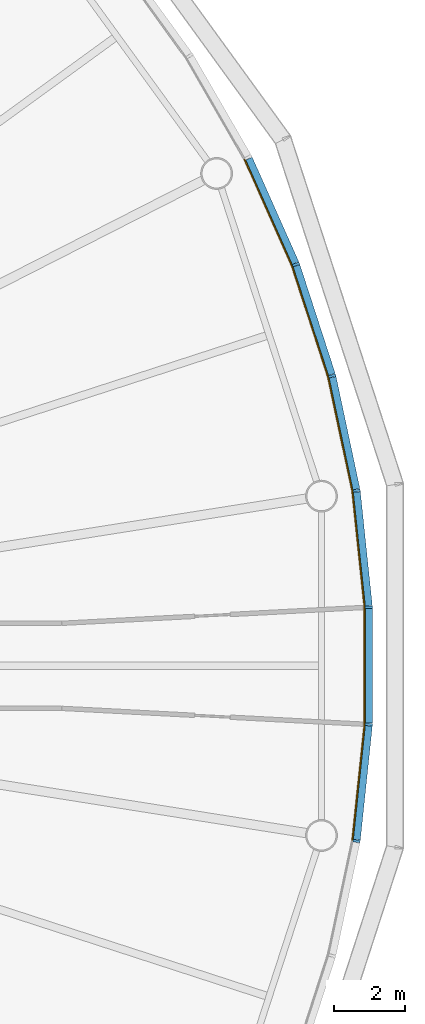
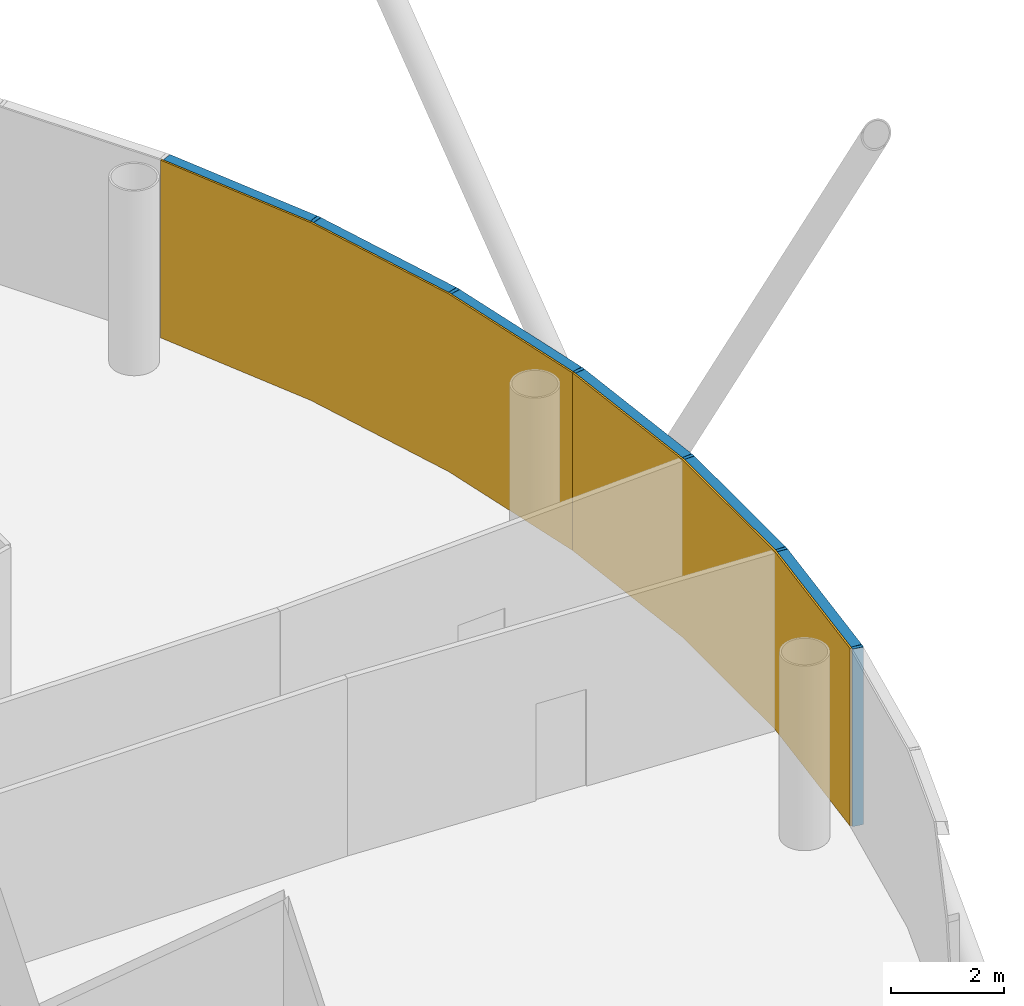
# One storey, part 11 of 13: 12 members, 2 curtain walls.
"""IFC4 building model written with IfcOpenShell, lengths in metres."""

from ifc_helpers import new_model, si_unit, direction, frame, origin, origin_2d, place, context, subcontext, project, spatial, polyline, rectangle, outline, extrude, material, layer, layer_set, material_profile, profile_set, type_object, element, aggregate, save


model = new_model("IFC4")

# Units and contexts
model_context = context("Model", 3, precision=1e-05, world=origin(), true_north=direction((0.0, 1.0)))
body_context = subcontext(model_context, "Body", "Model", "MODEL_VIEW")
ifc_project = project(units=[si_unit("LENGTHUNIT", "METRE"), si_unit("AREAUNIT", "SQUARE_METRE"), si_unit("VOLUMEUNIT", "CUBIC_METRE"), si_unit("PLANEANGLEUNIT", "RADIAN"), si_unit("MASSUNIT", "GRAM", prefix="KILO")], contexts=[model_context])

# Member
ifc_material_1 = material(Name="Anodised aluminium", Category="aluminium")
ifc_material_profile_1 = material_profile(ifc_material_1, rectangle(XDim=0.070068359375, YDim=0.205078125, at=origin_2d()), Name="Mullion 70 x 205 mm anodised aluminium")
ifc_profile_set_1 = profile_set([ifc_material_profile_1], Name="Anodised aluminium")
member_type_1 = type_object("IfcMemberType", Name="Mullion 70 x 205 mm anodised aluminium", PredefinedType="MULLION", material=ifc_profile_set_1)
site_placement = place(None, origin())
building_placement = place(site_placement, origin())
storey_placement = place(building_placement, frame((0.0, 0.0, 356.0)))
member_1_placement = place(storey_placement, frame((121.21337890625, 84.943603515625, 0.0), z_axis=(0.0, 0.0, 1.0), x_axis=(-0.15643446504, 0.987688340595, 0.0)))
member_1 = element("IfcMember", 1, at=member_1_placement, type_object=member_type_1, Name="MULLION L82-00", PredefinedType="MULLION", context=body_context, shape_type="SweptSolid", body=[
    extrude(rectangle(XDim=0.070068359375, YDim=0.205078125, at=origin_2d()), origin(), (0.0, 0.0, 1.0), 3.85009765625),
])

member_2_placement = place(storey_placement, frame((120.525634765625, 88.179443359375, 0.0), z_axis=(0.0, 0.0, 1.0), x_axis=(-0.258819045103, 0.965925826289, 0.0)))
member_2 = element("IfcMember", 2, at=member_2_placement, type_object=member_type_1, Name="MULLION L82-01", PredefinedType="MULLION", context=body_context, shape_type="SweptSolid", body=[
    extrude(rectangle(XDim=0.070068359375, YDim=0.205078125, at=origin_2d()), origin(), (0.0, 0.0, 1.0), 3.85009765625),
])

member_3_placement = place(storey_placement, frame((119.50341796875, 91.325439453125, 0.0), z_axis=(0.0, 0.0, 1.0), x_axis=(-0.358367949545, 0.933580426497, 0.0)))
member_3 = element("IfcMember", 3, at=member_3_placement, type_object=member_type_1, Name="MULLION L82-02", PredefinedType="MULLION", context=body_context, shape_type="SweptSolid", body=[
    extrude(rectangle(XDim=0.070068359375, YDim=0.205078125, at=origin_2d()), origin(), (0.0, 0.0, 1.0), 3.85009765625),
])

member_4_placement = place(storey_placement, frame((121.21337890625, 75.056396484375, 0.0), z_axis=(0.0, 0.0, 1.0), x_axis=(0.15643446504, 0.987688340595, 0.0)))
member_4 = element("IfcMember", 4, at=member_4_placement, type_object=member_type_1, Name="MULLION L82-57", PredefinedType="MULLION", context=body_context, shape_type="SweptSolid", body=[
    extrude(rectangle(XDim=0.070068359375, YDim=0.205078125, at=origin_2d()), origin(), (0.0, 0.0, 1.0), 3.85009765625),
])

member_5_placement = place(storey_placement, frame((121.55908203125, 78.345947265625, 0.0), z_axis=(0.0, 0.0, 1.0), x_axis=(0.052335956243, 0.998629534755, 0.0)))
member_5 = element("IfcMember", 5, at=member_5_placement, type_object=member_type_1, Name="MULLION L82-58", PredefinedType="MULLION", context=body_context, shape_type="SweptSolid", body=[
    extrude(rectangle(XDim=0.070068359375, YDim=0.205078125, at=origin_2d()), origin(), (0.0, 0.0, 1.0), 3.85009765625),
])

member_6_placement = place(storey_placement, frame((121.55908203125, 81.654052734375, 0.0), z_axis=(0.0, 0.0, 1.0), x_axis=(-0.052335956243, 0.998629534755, 0.0)))
member_6 = element("IfcMember", 6, at=member_6_placement, type_object=member_type_1, Name="MULLION L82-59", PredefinedType="MULLION", context=body_context, shape_type="SweptSolid", body=[
    extrude(rectangle(XDim=0.070068359375, YDim=0.205078125, at=origin_2d()), origin(), (0.0, 0.0, 1.0), 3.85009765625),
])

ifc_material_2 = material(Name="Anodised aluminium", Category="aluminium")
ifc_material_profile_2 = material_profile(ifc_material_2, rectangle(XDim=0.205078125, YDim=0.195068359375, at=origin_2d()), Name="Transom 195 x 205 mm anodised aluminium")
ifc_profile_set_2 = profile_set([ifc_material_profile_2], Name="Anodised aluminium")
member_type_2 = type_object("IfcMemberType", Name="Transom 195 x 205 mm anodised aluminium", PredefinedType="USERDEFINED", material=ifc_profile_set_2)
member_7_placement = place(storey_placement, frame((121.205078125, 84.983154296875, 3.75244140625), z_axis=(-0.207885898771, 0.978153082647, 0.0), x_axis=(-0.978153082647, -0.207885898771, 0.0)))
member_7 = element("IfcMember", 7, at=member_7_placement, type_object=member_type_2, Name="TRANSOM L82-00", ObjectType="TRANSOM", PredefinedType="USERDEFINED", context=body_context, shape_type="SweptSolid", body=[
    extrude(rectangle(XDim=0.205078125, YDim=0.195068359375, at=origin_2d()), origin(), (0.0, 0.0, 1.0), 3.227294921875),
])

member_8_placement = place(storey_placement, frame((120.513427734375, 88.2177734375, 3.75244140625), z_axis=(-0.309046726844, 0.951046855117, 0.0), x_axis=(-0.951046855117, -0.309046726844, 0.0)))
member_8 = element("IfcMember", 8, at=member_8_placement, type_object=member_type_2, Name="TRANSOM L82-01", ObjectType="TRANSOM", PredefinedType="USERDEFINED", context=body_context, shape_type="SweptSolid", body=[
    extrude(rectangle(XDim=0.205078125, YDim=0.195068359375, at=origin_2d()), origin(), (0.0, 0.0, 1.0), 3.22705078125),
])

member_9_placement = place(storey_placement, frame((119.4873046875, 91.3623046875, 3.75244140625), z_axis=(-0.406791170024, 0.913521178731, 0.0), x_axis=(-0.913521178731, -0.406791170024, 0.0)))
member_9 = element("IfcMember", 9, at=member_9_placement, type_object=member_type_2, Name="TRANSOM L82-02", ObjectType="TRANSOM", PredefinedType="USERDEFINED", context=body_context, shape_type="SweptSolid", body=[
    extrude(rectangle(XDim=0.205078125, YDim=0.195068359375, at=origin_2d()), origin(), (0.0, 0.0, 1.0), 3.22705078125),
])

member_10_placement = place(storey_placement, frame((121.2177734375, 75.096435546875, 3.75244140625), z_axis=(0.104550890115, 0.994519537956, 0.0), x_axis=(-0.994519537956, 0.104550890115, 0.0)))
member_10 = element("IfcMember", 10, at=member_10_placement, type_object=member_type_2, Name="TRANSOM L82-57", ObjectType="TRANSOM", PredefinedType="USERDEFINED", context=body_context, shape_type="SweptSolid", body=[
    extrude(rectangle(XDim=0.205078125, YDim=0.195068359375, at=origin_2d()), origin(), (0.0, 0.0, 1.0), 3.22705078125),
])

member_11_placement = place(storey_placement, frame((121.559326171875, 78.386474609375, 3.75244140625), z_axis=(0.0, 1.0, 0.0), x_axis=(-1.0, 0.0, 0.0)))
member_11 = element("IfcMember", 11, at=member_11_placement, type_object=member_type_2, Name="TRANSOM L82-58", ObjectType="TRANSOM", PredefinedType="USERDEFINED", context=body_context, shape_type="SweptSolid", body=[
    extrude(rectangle(XDim=0.205078125, YDim=0.195068359375, at=origin_2d()), origin(), (0.0, 0.0, 1.0), 3.22705078125),
])

member_12_placement = place(storey_placement, frame((121.55517578125, 81.694091796875, 3.75244140625), z_axis=(-0.104550890115, 0.994519537956, 0.0), x_axis=(-0.994519537956, -0.104550890115, 0.0)))
member_12 = element("IfcMember", 12, at=member_12_placement, type_object=member_type_2, Name="TRANSOM L82-59", ObjectType="TRANSOM", PredefinedType="USERDEFINED", context=body_context, shape_type="SweptSolid", body=[
    extrude(rectangle(XDim=0.205078125, YDim=0.195068359375, at=origin_2d()), origin(), (0.0, 0.0, 1.0), 3.22705078125),
])

# Site, building, storey
site = spatial("IfcSite", under=ifc_project, at=site_placement, CompositionType="ELEMENT")
building = spatial("IfcBuilding", under=site, at=building_placement, Name="Entoto Ring Tower", CompositionType="ELEMENT")
storey = spatial("IfcBuildingStorey", under=building, at=storey_placement, Name="L82", CompositionType="ELEMENT", Elevation=356.0)

# Curtain wall
ifc_material_3 = material(Name="Clear low-iron glass", Category="glass")
ifc_layer = layer(ifc_material_3, 0.035888671875)
ifc_layer_set = layer_set([ifc_layer], Name="Clear low-iron glass")
curtain_wall_type = type_object("IfcCurtainWallType", Name="Curtain wall system CW6 glazing 36 mm", PredefinedType="NOTDEFINED", material=ifc_layer_set)
curtain_wall_1_placement = place(storey_placement, origin())
curtain_wall_1 = element("IfcCurtainWall", 13, at=curtain_wall_1_placement, inside=storey, type_object=curtain_wall_type, Name="CW6 L82-01", PredefinedType="NOTDEFINED", context=body_context, shape_type="SweptSolid", body=[
    extrude(outline(polyline([(121.1123046875, 84.927734375), (120.4267578125, 88.15283203125), (119.40771484375, 91.28857421875), (118.066650390625, 94.30078125), (118.03466796875, 94.284423828125), (119.3740234375, 91.275634765625), (120.391845703125, 88.1435546875), (121.07666015625, 84.922119140625), (121.1123046875, 84.927734375)])), origin(), (0.0, 0.0, 1.0), 3.85009765625),
])

aggregate(curtain_wall_1, [member_1, member_2, member_3, member_7, member_8, member_9])

curtain_wall_2_placement = place(storey_placement, origin())
curtain_wall_2 = element("IfcCurtainWall", 14, at=curtain_wall_2_placement, inside=storey, type_object=curtain_wall_type, Name="CW6 L82-20", PredefinedType="NOTDEFINED", context=body_context, shape_type="SweptSolid", body=[
    extrude(outline(polyline([(121.1123046875, 75.072265625), (121.456787109375, 78.351318359375), (121.456787109375, 81.648681640625), (121.1123046875, 84.927734375), (121.07666015625, 84.922119140625), (121.4208984375, 81.646728515625), (121.4208984375, 78.353271484375), (121.07666015625, 75.077880859375), (121.1123046875, 75.072265625)])), origin(), (0.0, 0.0, 1.0), 3.85009765625),
])

aggregate(curtain_wall_2, [member_4, member_5, member_6, member_10, member_11, member_12])

save(model, "model.ifc")
